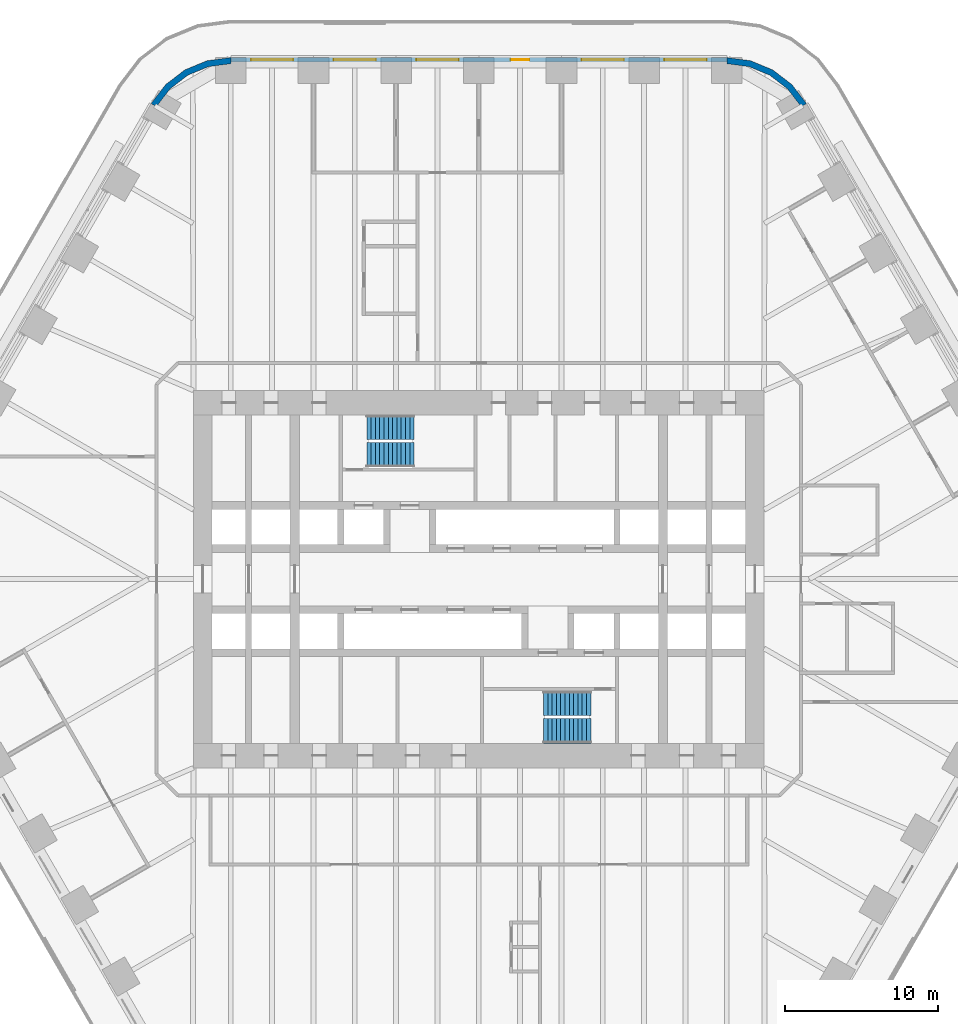
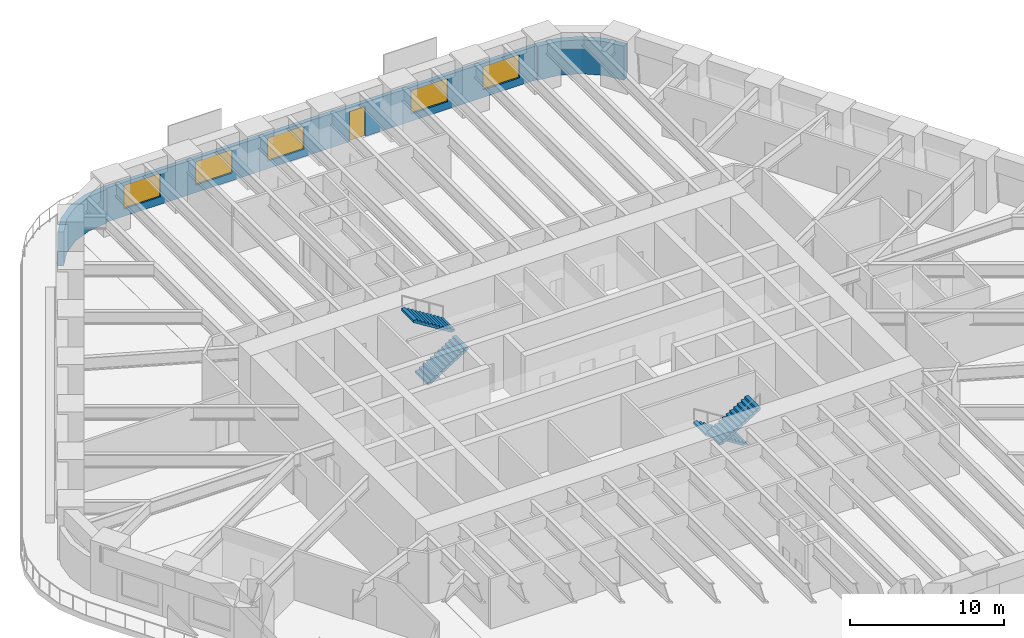
# One storey, part 21 of 24: 5 windows, 4 stair flights, 3 walls, 1 door, 6 openings, 2 elements without a shape of their own.
"""IFC4 building model written with IfcOpenShell, lengths in metres."""

from ifc_helpers import new_model, si_unit, direction, frame, frame_2d, origin, place, context, subcontext, project, spatial, polyline, rectangle, outline, extrude, material, layer, layer_set, type_object, element, fill, aggregate, save


model = new_model("IFC4")

# Units and contexts
model_context = context("Model", 3, precision=1e-05, world=origin(), true_north=direction((0.0, 1.0)))
body_context = subcontext(model_context, "Body", "Model", "MODEL_VIEW")
ifc_project = project(units=[si_unit("LENGTHUNIT", "METRE"), si_unit("AREAUNIT", "SQUARE_METRE"), si_unit("VOLUMEUNIT", "CUBIC_METRE"), si_unit("PLANEANGLEUNIT", "RADIAN"), si_unit("MASSUNIT", "GRAM", prefix="KILO")], contexts=[model_context])

# Site, building, storey
site_placement = place(None, origin())
site = spatial("IfcSite", under=ifc_project, at=site_placement, CompositionType="ELEMENT")
building_placement = place(site_placement, origin())
building = spatial("IfcBuilding", under=site, at=building_placement, Name="Tarfa Lantern Tower", CompositionType="ELEMENT")
storey_placement = place(building_placement, frame((0.0, 0.0, 69.699951171875)))
storey = spatial("IfcBuildingStorey", under=building, at=storey_placement, Name="L15", CompositionType="ELEMENT", Elevation=69.699951171875)

# Wall, openings, door, windows
ifc_material_1 = material(Name="Limestone cladding on blockwork", Category="masonry")
ifc_layer_1 = layer(ifc_material_1, 0.300048828125)
ifc_layer_set_1 = layer_set([ifc_layer_1], Name="EW1 STONE-CLAD WALL 300")
wall_type_1 = type_object("IfcWallType", Name="EW1 STONE-CLAD WALL 300", PredefinedType="SOLIDWALL", material=ifc_layer_set_1)
wall_1_placement = place(storey_placement, frame((16.165771484375, 33.85009765625, 0.0), z_axis=(0.0, 0.0, 1.0), x_axis=(-1.0, 0.0, 0.0)))
wall_1 = element("IfcWall", 1, at=wall_1_placement, inside=storey, type_object=wall_type_1, Name="Stone wall N", PredefinedType="SOLIDWALL", context=body_context, shape_type="SweptSolid", body=[
    extrude(rectangle(XDim=32.33154296875, YDim=0.300048828125, at=frame_2d((16.165771484375, 0.0))), origin(), (0.0, 0.0, 1.0), 2.699951171875),
])
opening_1_placement = place(wall_1_placement, frame((1.3193359375, 0.0, 0.60009765625)))
opening_1 = element("IfcOpeningElement", 2, at=opening_1_placement, cuts=wall_1, Name="Opening W2", PredefinedType="OPENING", context=body_context, shape_type="SweptSolid", body=[
    extrude(rectangle(XDim=2.75, YDim=1.85009765625, at=frame_2d((1.375, 0.925048828125))), frame((0.0, 0.159912109375, 0.0), z_axis=(0.0, -1.0, 0.0), x_axis=(1.0, 0.0, 0.0)), (0.0, 0.0, 1.0), 0.320068359375),
])
opening_2_placement = place(wall_1_placement, frame((6.7080078125, 0.0, 0.60009765625)))
opening_2 = element("IfcOpeningElement", 3, at=opening_2_placement, cuts=wall_1, Name="Opening W2", PredefinedType="OPENING", context=body_context, shape_type="SweptSolid", body=[
    extrude(rectangle(XDim=2.75, YDim=1.85009765625, at=frame_2d((1.375, 0.925048828125))), frame((0.0, 0.159912109375, 0.0), z_axis=(0.0, -1.0, 0.0), x_axis=(1.0, 0.0, 0.0)), (0.0, 0.0, 1.0), 0.320068359375),
])
opening_3_placement = place(wall_1_placement, frame((12.87158203125, 0.0, 0.0)))
opening_3 = element("IfcOpeningElement", 4, at=opening_3_placement, cuts=wall_1, Name="Opening D54", PredefinedType="OPENING", context=body_context, shape_type="SweptSolid", body=[
    extrude(rectangle(XDim=1.199951171875, YDim=2.39990234375, at=frame_2d((0.60009765625, 1.199951171875))), frame((0.0, 0.159912109375, 0.0), z_axis=(0.0, -1.0, 0.0), x_axis=(1.0, 0.0, 0.0)), (0.0, 0.0, 1.0), 0.320068359375),
])
opening_4_placement = place(wall_1_placement, frame((17.485107421875, 0.0, 0.60009765625)))
opening_4 = element("IfcOpeningElement", 5, at=opening_4_placement, cuts=wall_1, Name="Opening W2", PredefinedType="OPENING", context=body_context, shape_type="SweptSolid", body=[
    extrude(rectangle(XDim=2.75, YDim=1.85009765625, at=frame_2d((1.375, 0.925048828125))), frame((0.0, 0.159912109375, 0.0), z_axis=(0.0, -1.0, 0.0), x_axis=(1.0, 0.0, 0.0)), (0.0, 0.0, 1.0), 0.320068359375),
])
opening_5_placement = place(wall_1_placement, frame((22.873779296875, 0.0, 0.60009765625)))
opening_5 = element("IfcOpeningElement", 6, at=opening_5_placement, cuts=wall_1, Name="Opening W2", PredefinedType="OPENING", context=body_context, shape_type="SweptSolid", body=[
    extrude(rectangle(XDim=2.75, YDim=1.85009765625, at=frame_2d((1.375, 0.925048828125))), frame((0.0, 0.159912109375, 0.0), z_axis=(0.0, -1.0, 0.0), x_axis=(1.0, 0.0, 0.0)), (0.0, 0.0, 1.0), 0.320068359375),
])
opening_6_placement = place(wall_1_placement, frame((28.26220703125, 0.0, 0.60009765625)))
opening_6 = element("IfcOpeningElement", 7, at=opening_6_placement, cuts=wall_1, Name="Opening W2", PredefinedType="OPENING", context=body_context, shape_type="SweptSolid", body=[
    extrude(rectangle(XDim=2.75, YDim=1.85009765625, at=frame_2d((1.375, 0.925048828125))), frame((0.0, 0.159912109375, 0.0), z_axis=(0.0, -1.0, 0.0), x_axis=(1.0, 0.0, 0.0)), (0.0, 0.0, 1.0), 0.320068359375),
])
ifc_material_2 = material(Name="Aluminium framed glazed door", Category="aluminium")
door_type = type_object("IfcDoorType", Name="BE3 BALCONY DOOR 1200x2400", OperationType="SINGLE_SWING_RIGHT", PredefinedType="DOOR", material=ifc_material_2)
door_placement = place(opening_3_placement, origin())
door = element("IfcDoor", 8, at=door_placement, inside=storey, type_object=door_type, Name="Balcony door N", OperationType="SINGLE_SWING_RIGHT", OverallHeight=2.39990234375, OverallWidth=1.199951171875, PredefinedType="DOOR", context=body_context, shape_type="SweptSolid", body=[
    extrude(rectangle(XDim=1.199951171875, YDim=2.39990234375, at=frame_2d((0.60009765625, 1.199951171875))), frame((0.0, 0.02490234375, 0.0), z_axis=(0.0, -1.0, 0.0), x_axis=(1.0, 0.0, 0.0)), (0.0, 0.0, 1.0), 0.050048828125),
])
fill(opening_3, door)
ifc_material_3 = material(Name="Aluminium frame, double glazed", Category="aluminium")
window_type = type_object("IfcWindowType", Name="W2 FULL-HEIGHT GLAZING 2750x1850", PartitioningType="SINGLE_PANEL", PredefinedType="WINDOW", material=ifc_material_3)
window_1_placement = place(opening_1_placement, origin())
window_1 = element("IfcWindow", 9, at=window_1_placement, inside=storey, type_object=window_type, Name="Window N 1", OverallHeight=1.85009765625, OverallWidth=2.75, PartitioningType="SINGLE_PANEL", PredefinedType="WINDOW", context=body_context, shape_type="SweptSolid", body=[
    extrude(rectangle(XDim=2.75, YDim=1.85009765625, at=frame_2d((1.375, 0.925048828125))), frame((0.0, 0.030029296875, 0.0), z_axis=(0.0, -1.0, 0.0), x_axis=(1.0, 0.0, 0.0)), (0.0, 0.0, 1.0), 0.06005859375),
])
fill(opening_1, window_1)
window_2_placement = place(opening_2_placement, origin())
window_2 = element("IfcWindow", 10, at=window_2_placement, inside=storey, type_object=window_type, Name="Window N 2", OverallHeight=1.85009765625, OverallWidth=2.75, PartitioningType="SINGLE_PANEL", PredefinedType="WINDOW", context=body_context, shape_type="SweptSolid", body=[
    extrude(rectangle(XDim=2.75, YDim=1.85009765625, at=frame_2d((1.375, 0.925048828125))), frame((0.0, 0.030029296875, 0.0), z_axis=(0.0, -1.0, 0.0), x_axis=(1.0, 0.0, 0.0)), (0.0, 0.0, 1.0), 0.06005859375),
])
fill(opening_2, window_2)
window_3_placement = place(opening_4_placement, origin())
window_3 = element("IfcWindow", 11, at=window_3_placement, inside=storey, type_object=window_type, Name="Window N 4", OverallHeight=1.85009765625, OverallWidth=2.75, PartitioningType="SINGLE_PANEL", PredefinedType="WINDOW", context=body_context, shape_type="SweptSolid", body=[
    extrude(rectangle(XDim=2.75, YDim=1.85009765625, at=frame_2d((1.375, 0.925048828125))), frame((0.0, 0.030029296875, 0.0), z_axis=(0.0, -1.0, 0.0), x_axis=(1.0, 0.0, 0.0)), (0.0, 0.0, 1.0), 0.06005859375),
])
fill(opening_4, window_3)
window_4_placement = place(opening_5_placement, origin())
window_4 = element("IfcWindow", 12, at=window_4_placement, inside=storey, type_object=window_type, Name="Window N 5", OverallHeight=1.85009765625, OverallWidth=2.75, PartitioningType="SINGLE_PANEL", PredefinedType="WINDOW", context=body_context, shape_type="SweptSolid", body=[
    extrude(rectangle(XDim=2.75, YDim=1.85009765625, at=frame_2d((1.375, 0.925048828125))), frame((0.0, 0.030029296875, 0.0), z_axis=(0.0, -1.0, 0.0), x_axis=(1.0, 0.0, 0.0)), (0.0, 0.0, 1.0), 0.06005859375),
])
fill(opening_5, window_4)
window_5_placement = place(opening_6_placement, origin())
window_5 = element("IfcWindow", 13, at=window_5_placement, inside=storey, type_object=window_type, Name="Window N 6", OverallHeight=1.85009765625, OverallWidth=2.75, PartitioningType="SINGLE_PANEL", PredefinedType="WINDOW", context=body_context, shape_type="SweptSolid", body=[
    extrude(rectangle(XDim=2.75, YDim=1.85009765625, at=frame_2d((1.375, 0.925048828125))), frame((0.0, 0.030029296875, 0.0), z_axis=(0.0, -1.0, 0.0), x_axis=(1.0, 0.0, 0.0)), (0.0, 0.0, 1.0), 0.06005859375),
])
fill(opening_6, window_5)

# Walls
ifc_layer_2 = layer(ifc_material_1, 0.39990234375)
ifc_layer_set_2 = layer_set([ifc_layer_2], Name="EW2 CURVED STONE CORNER 400")
wall_type_2 = type_object("IfcWallType", Name="EW2 CURVED STONE CORNER 400", PredefinedType="SOLIDWALL", material=ifc_layer_set_2)
wall_2_placement = place(storey_placement, origin())
element("IfcWall", 14, at=wall_2_placement, inside=storey, type_object=wall_type_2, Name="Stone corner NE-N", PredefinedType="SOLIDWALL", context=body_context, shape_type="SweptSolid", body=[
    extrude(outline(polyline([(21.362060546875, 31.0), (20.408447265625, 32.24267578125), (19.165771484375, 33.196044921875), (17.71875, 33.795654296875), (16.165771484375, 34.0), (16.165771484375, 33.60009765625), (17.615234375, 33.4091796875), (18.9658203125, 32.849853515625), (20.12548828125, 31.959716796875), (21.015625, 30.800048828125), (21.362060546875, 31.0)])), origin(), (0.0, 0.0, 1.0), 2.699951171875),
])
wall_3_placement = place(storey_placement, origin())
element("IfcWall", 15, at=wall_3_placement, inside=storey, type_object=wall_type_2, Name="Stone corner N-NW", PredefinedType="SOLIDWALL", context=body_context, shape_type="SweptSolid", body=[
    extrude(outline(polyline([(-16.165771484375, 34.0), (-17.71875, 33.795654296875), (-19.165771484375, 33.196044921875), (-20.408447265625, 32.24267578125), (-21.362060546875, 31.0), (-21.015625, 30.800048828125), (-20.12548828125, 31.959716796875), (-18.9658203125, 32.849853515625), (-17.615234375, 33.4091796875), (-16.165771484375, 33.60009765625), (-16.165771484375, 34.0)])), origin(), (0.0, 0.0, 1.0), 2.699951171875),
])

# Stair, stair flights
ifc_material_4 = material(Name="Concrete C40/50", Category="concrete")
stair_type = type_object("IfcStairType", Name="ST-T10 HALF-TURN STAIR 4200 RISE", PredefinedType="HALF_TURN_STAIR", material=ifc_material_4)
stair_1_placement = place(storey_placement, origin())
stair_1 = element("IfcStair", 16, at=stair_1_placement, inside=storey, type_object=stair_type, Name="Stair ST1", PredefinedType="HALF_TURN_STAIR")
stair_flight_type = type_object("IfcStairFlightType", Name="SF1 STAIR FLIGHT", PredefinedType="STRAIGHT", material=ifc_material_4)
stair_flight_1_placement = place(storey_placement, frame((-7.300048828125, 8.10009765625, 0.0), z_axis=(0.0, 0.0, 1.0), x_axis=(1.0, 0.0, 0.0)))
stair_flight_1 = element("IfcStairFlight", 17, at=stair_flight_1_placement, type_object=stair_flight_type, Name="ST1 flight 1", NumberOfRisers=12, NumberOfTreads=11, PredefinedType="STRAIGHT", RiserHeight=0.175, TreadLength=0.28, context=body_context, shape_type="SweptSolid", body=[
    extrude(outline(polyline([(0.0, 0.0), (0.0, 0.175048828125), (0.280029296875, 0.175048828125), (0.280029296875, 0.35009765625), (0.56005859375, 0.35009765625), (0.56005859375, 0.52490234375), (0.840087890625, 0.52490234375), (0.840087890625, 0.699951171875), (1.1201171875, 0.699951171875), (1.1201171875, 0.875), (1.39990234375, 0.875), (1.39990234375, 1.050048828125), (1.679931640625, 1.050048828125), (1.679931640625, 1.22509765625), (1.9599609375, 1.22509765625), (1.9599609375, 1.39990234375), (2.239990234375, 1.39990234375), (2.239990234375, 1.574951171875), (2.52001953125, 1.574951171875), (2.52001953125, 1.75), (2.800048828125, 1.75), (2.800048828125, 1.925048828125), (3.080078125, 1.925048828125), (3.080078125, 2.10009765625), (3.080078125, 1.748291015625), (0.28271484375, 0.0), (0.0, 0.0)])), frame((0.0, 0.800048828125, 0.0), z_axis=(0.0, -1.0, 0.0), x_axis=(1.0, 0.0, 0.0)), (0.0, 0.0, 1.0), 1.60009765625),
])
stair_flight_2_placement = place(storey_placement, frame((-4.219970703125, 9.89990234375, 2.10009765625), z_axis=(0.0, 0.0, 1.0), x_axis=(-1.0, 0.0, 0.0)))
stair_flight_2 = element("IfcStairFlight", 18, at=stair_flight_2_placement, type_object=stair_flight_type, Name="ST1 flight 2", NumberOfRisers=12, NumberOfTreads=11, PredefinedType="STRAIGHT", RiserHeight=0.175, TreadLength=0.28, context=body_context, shape_type="SweptSolid", body=[
    extrude(outline(polyline([(0.0, 0.0), (0.0, 0.175048828125), (0.280029296875, 0.175048828125), (0.280029296875, 0.35009765625), (0.56005859375, 0.35009765625), (0.56005859375, 0.52490234375), (0.840087890625, 0.52490234375), (0.840087890625, 0.699951171875), (1.1201171875, 0.699951171875), (1.1201171875, 0.875), (1.39990234375, 0.875), (1.39990234375, 1.050048828125), (1.679931640625, 1.050048828125), (1.679931640625, 1.22509765625), (1.9599609375, 1.22509765625), (1.9599609375, 1.39990234375), (2.239990234375, 1.39990234375), (2.239990234375, 1.574951171875), (2.52001953125, 1.574951171875), (2.52001953125, 1.75), (2.800048828125, 1.75), (2.800048828125, 1.925048828125), (3.080078125, 1.925048828125), (3.080078125, 2.10009765625), (3.080078125, 1.748291015625), (0.28271484375, 0.0), (0.0, 0.0)])), frame((0.0, 0.800048828125, 0.0), z_axis=(0.0, -1.0, 0.0), x_axis=(1.0, 0.0, 0.0)), (0.0, 0.0, 1.0), 1.60009765625),
])
aggregate(stair_1, [stair_flight_1, stair_flight_2])

stair_2_placement = place(storey_placement, origin())
stair_2 = element("IfcStair", 19, at=stair_2_placement, inside=storey, type_object=stair_type, Name="Stair ST2", PredefinedType="HALF_TURN_STAIR")
stair_flight_3_placement = place(storey_placement, frame((7.300048828125, -8.10009765625, 0.0), z_axis=(0.0, 0.0, 1.0), x_axis=(-1.0, 0.0, 0.0)))
stair_flight_3 = element("IfcStairFlight", 20, at=stair_flight_3_placement, type_object=stair_flight_type, Name="ST2 flight 1", NumberOfRisers=12, NumberOfTreads=11, PredefinedType="STRAIGHT", RiserHeight=0.175, TreadLength=0.28, context=body_context, shape_type="SweptSolid", body=[
    extrude(outline(polyline([(0.0, 0.0), (0.0, 0.175048828125), (0.280029296875, 0.175048828125), (0.280029296875, 0.35009765625), (0.56005859375, 0.35009765625), (0.56005859375, 0.52490234375), (0.840087890625, 0.52490234375), (0.840087890625, 0.699951171875), (1.1201171875, 0.699951171875), (1.1201171875, 0.875), (1.39990234375, 0.875), (1.39990234375, 1.050048828125), (1.679931640625, 1.050048828125), (1.679931640625, 1.22509765625), (1.9599609375, 1.22509765625), (1.9599609375, 1.39990234375), (2.239990234375, 1.39990234375), (2.239990234375, 1.574951171875), (2.52001953125, 1.574951171875), (2.52001953125, 1.75), (2.800048828125, 1.75), (2.800048828125, 1.925048828125), (3.080078125, 1.925048828125), (3.080078125, 2.10009765625), (3.080078125, 1.748291015625), (0.28271484375, 0.0), (0.0, 0.0)])), frame((0.0, 0.800048828125, 0.0), z_axis=(0.0, -1.0, 0.0), x_axis=(1.0, 0.0, 0.0)), (0.0, 0.0, 1.0), 1.60009765625),
])
stair_flight_4_placement = place(storey_placement, frame((4.219970703125, -9.89990234375, 2.10009765625), z_axis=(0.0, 0.0, 1.0), x_axis=(1.0, 0.0, 0.0)))
stair_flight_4 = element("IfcStairFlight", 21, at=stair_flight_4_placement, type_object=stair_flight_type, Name="ST2 flight 2", NumberOfRisers=12, NumberOfTreads=11, PredefinedType="STRAIGHT", RiserHeight=0.175, TreadLength=0.28, context=body_context, shape_type="SweptSolid", body=[
    extrude(outline(polyline([(0.0, 0.0), (0.0, 0.175048828125), (0.280029296875, 0.175048828125), (0.280029296875, 0.35009765625), (0.56005859375, 0.35009765625), (0.56005859375, 0.52490234375), (0.840087890625, 0.52490234375), (0.840087890625, 0.699951171875), (1.1201171875, 0.699951171875), (1.1201171875, 0.875), (1.39990234375, 0.875), (1.39990234375, 1.050048828125), (1.679931640625, 1.050048828125), (1.679931640625, 1.22509765625), (1.9599609375, 1.22509765625), (1.9599609375, 1.39990234375), (2.239990234375, 1.39990234375), (2.239990234375, 1.574951171875), (2.52001953125, 1.574951171875), (2.52001953125, 1.75), (2.800048828125, 1.75), (2.800048828125, 1.925048828125), (3.080078125, 1.925048828125), (3.080078125, 2.10009765625), (3.080078125, 1.748291015625), (0.28271484375, 0.0), (0.0, 0.0)])), frame((0.0, 0.800048828125, 0.0), z_axis=(0.0, -1.0, 0.0), x_axis=(1.0, 0.0, 0.0)), (0.0, 0.0, 1.0), 1.60009765625),
])
aggregate(stair_2, [stair_flight_3, stair_flight_4])

save(model, "model.ifc")
